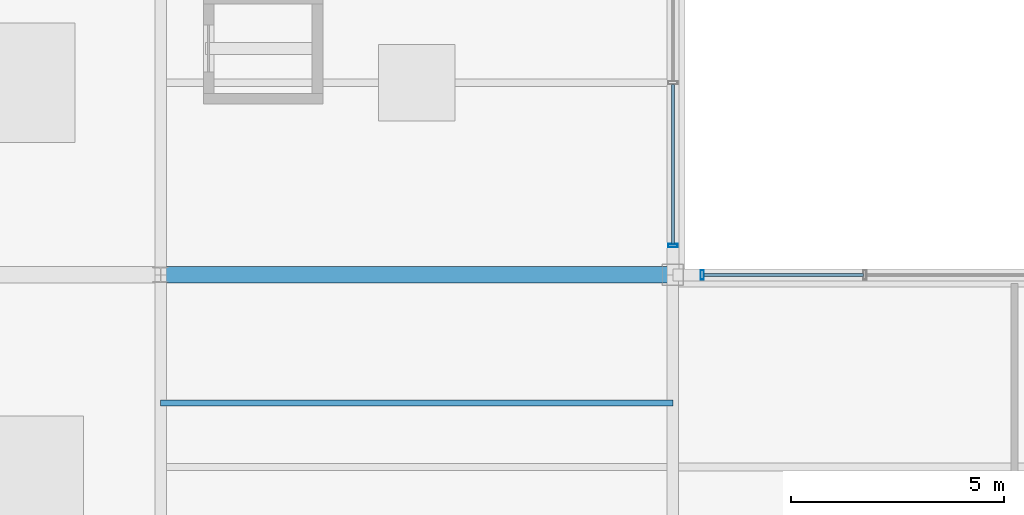
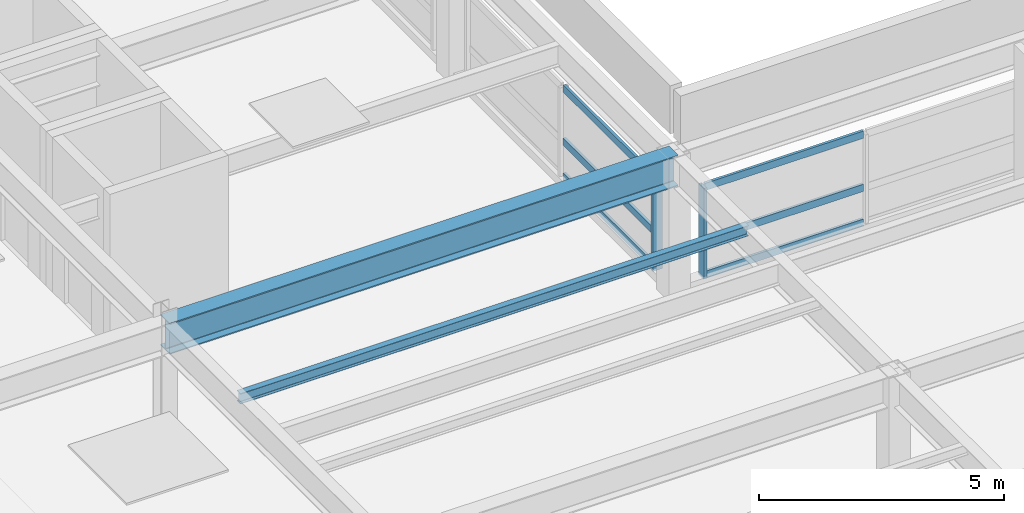
# One storey, part 59 of 108: 9 members, 1 beam, 2 elements without a shape of their own.
"""IFC4 building model written with IfcOpenShell, lengths in metres."""

from ifc_helpers import new_model, si_unit, direction, frame, origin, origin_2d, place, context, subcontext, project, spatial, hollow_rectangle, i_section, extrude, material, material_profile, profile_set, type_object, element, aggregate, save


model = new_model("IFC4")

# Units and contexts
model_context = context("Model", 3, precision=1e-05, world=origin(), true_north=direction((0.0, 1.0)))
body_context = subcontext(model_context, "Body", "Model", "MODEL_VIEW")
ifc_project = project(units=[si_unit("LENGTHUNIT", "METRE"), si_unit("AREAUNIT", "SQUARE_METRE"), si_unit("VOLUMEUNIT", "CUBIC_METRE"), si_unit("PLANEANGLEUNIT", "RADIAN"), si_unit("MASSUNIT", "GRAM", prefix="KILO")], contexts=[model_context])

# Site, building, storey
site_placement = place(None, origin())
site = spatial("IfcSite", under=ifc_project, at=site_placement, CompositionType="ELEMENT")
building_placement = place(site_placement, origin())
building = spatial("IfcBuilding", under=site, at=building_placement, Name="Kaldorvane Square Convention Centre", CompositionType="ELEMENT")
storey_placement = place(building_placement, frame((0.0, 0.0, 23.399993896484375)))
storey = spatial("IfcBuildingStorey", under=building, at=storey_placement, Name="L04", CompositionType="ELEMENT", Elevation=23.399993896484375)

# Beam
ifc_material_1 = material(Name="Steel ASTM A992 Gr. 50", Category="steel")
ifc_material_profile_1 = material_profile(ifc_material_1, i_section(OverallWidth=0.380706787109375, OverallDepth=0.773193359375, WebThickness=0.0166015625, FlangeThickness=0.027099609375, FilletRadius=0.0164947509765625, at=origin_2d()), Name="W30X173")
ifc_profile_set_1 = profile_set([ifc_material_profile_1], Name="Steel ASTM A992 Gr. 50")
beam_type = type_object("IfcBeamType", Name="BM-GR-W30X173", PredefinedType="BEAM", material=ifc_profile_set_1)
beam_placement = place(storey_placement, frame((126.0, 36.0, 3.139404296875), z_axis=(1.0, 0.0, 0.0), x_axis=(0.0, 1.0, 0.0)))
element("IfcBeam", 1, at=beam_placement, inside=storey, type_object=beam_type, Name="Primary Girder (L04)", PredefinedType="BEAM", context=body_context, shape_type="SweptSolid", body=[
    extrude(i_section(OverallWidth=0.380706787109375, OverallDepth=0.773193359375, WebThickness=0.0166015625, FlangeThickness=0.027099609375, FilletRadius=0.0164947509765625, at=origin_2d()), origin(), (0.0, 0.0, 1.0), 12.0),
])

# Curtain wall, member
ifc_material_2 = material(Name="Anodized Aluminum and Low-E Insulated Glazing", Category="aluminium")
curtain_wall_type = type_object("IfcCurtainWallType", Name="CW-PTS-FC-42", PredefinedType="USERDEFINED", material=ifc_material_2)
curtain_wall_1_placement = place(storey_placement, origin())
curtain_wall_1 = element("IfcCurtainWall", 2, at=curtain_wall_1_placement, inside=storey, type_object=curtain_wall_type, Name="Curtain Wall CW-09 (L04)", ObjectType="POINT SUPPORTED GLAZING", PredefinedType="USERDEFINED")
ifc_material_profile_2 = material_profile(ifc_material_2, hollow_rectangle(XDim=0.0749969482421875, YDim=0.220001220703125, WallThickness=0.003997802734375, at=origin_2d()), Name="CWM-220X75")
ifc_profile_set_2 = profile_set([ifc_material_profile_2], Name="Anodized Aluminum and Low-E Insulated Glazing")
member_type_1 = type_object("IfcMemberType", Name="CW-MUL-220", PredefinedType="MULLION", material=ifc_profile_set_2)
member_1_placement = place(storey_placement, frame((138.6875, 36.0, 0.1500091552734375), z_axis=(0.0, 0.0, 1.0), x_axis=(-1.0, 0.0, 0.0)))
member_1 = element("IfcMember", 3, at=member_1_placement, type_object=member_type_1, Name="CW-09 mullion 3", PredefinedType="MULLION", context=body_context, shape_type="SweptSolid", body=[
    extrude(hollow_rectangle(XDim=0.0749969482421875, YDim=0.220001220703125, WallThickness=0.003997802734375, at=origin_2d()), origin(), (0.0, 0.0, 1.0), 2.2599945068359375),
])

curtain_wall_2_placement = place(storey_placement, origin())
curtain_wall_2 = element("IfcCurtainWall", 4, at=curtain_wall_2_placement, inside=storey, type_object=curtain_wall_type, Name="Curtain Wall CW-09 (L04)", ObjectType="POINT SUPPORTED GLAZING", PredefinedType="USERDEFINED")
member_2_placement = place(storey_placement, frame((138.0, 36.6875, 0.1500091552734375), z_axis=(0.0, 0.0, 1.0), x_axis=(0.0, 1.0, 0.0)))
member_2 = element("IfcMember", 5, at=member_2_placement, type_object=member_type_1, Name="CW-09 mullion 1", PredefinedType="MULLION", context=body_context, shape_type="SweptSolid", body=[
    extrude(hollow_rectangle(XDim=0.0749969482421875, YDim=0.220001220703125, WallThickness=0.003997802734375, at=origin_2d()), origin(), (0.0, 0.0, 1.0), 2.2599945068359375),
])

# Member
ifc_material_profile_3 = material_profile(ifc_material_2, hollow_rectangle(XDim=0.06500244140625, YDim=0.17999267578125, WallThickness=0.0034942626953125, at=origin_2d()), Name="CWT-180X65")
ifc_profile_set_3 = profile_set([ifc_material_profile_3], Name="Anodized Aluminum and Low-E Insulated Glazing")
member_type_2 = type_object("IfcMemberType", Name="CW-TRN-180", PredefinedType="USERDEFINED", material=ifc_profile_set_3)
member_3_placement = place(storey_placement, frame((142.46249389648438, 36.0, 0.1825103759765625), z_axis=(-1.0, 0.0, 0.0), x_axis=(0.0, -1.0, 0.0)))
member_3 = element("IfcMember", 6, at=member_3_placement, type_object=member_type_2, Name="CW-09 transom 2.1", ObjectType="TRANSOM", PredefinedType="USERDEFINED", context=body_context, shape_type="SweptSolid", body=[
    extrude(hollow_rectangle(XDim=0.06500244140625, YDim=0.17999267578125, WallThickness=0.0034942626953125, at=origin_2d()), origin(), (0.0, 0.0, 1.0), 3.73748779296875),
])

member_4_placement = place(storey_placement, frame((142.46249389648438, 36.0, 1.0500030517578125), z_axis=(-1.0, 0.0, 0.0), x_axis=(0.0, -1.0, 0.0)))
member_4 = element("IfcMember", 7, at=member_4_placement, type_object=member_type_2, Name="CW-09 transom 2.2", ObjectType="TRANSOM", PredefinedType="USERDEFINED", context=body_context, shape_type="SweptSolid", body=[
    extrude(hollow_rectangle(XDim=0.06500244140625, YDim=0.17999267578125, WallThickness=0.0034942626953125, at=origin_2d()), origin(), (0.0, 0.0, 1.0), 3.73748779296875),
])

member_5_placement = place(storey_placement, frame((142.46249389648438, 36.0, 2.37750244140625), z_axis=(-1.0, 0.0, 0.0), x_axis=(0.0, -1.0, 0.0)))
member_5 = element("IfcMember", 8, at=member_5_placement, type_object=member_type_2, Name="CW-09 transom 2.3", ObjectType="TRANSOM", PredefinedType="USERDEFINED", context=body_context, shape_type="SweptSolid", body=[
    extrude(hollow_rectangle(XDim=0.06500244140625, YDim=0.17999267578125, WallThickness=0.0034942626953125, at=origin_2d()), origin(), (0.0, 0.0, 1.0), 3.73748779296875),
])

aggregate(curtain_wall_1, [member_1, member_3, member_4, member_5])

member_6_placement = place(storey_placement, frame((138.0, 36.725006103515625, 0.1825103759765625), z_axis=(0.0, 1.0, 0.0), x_axis=(-1.0, 0.0, 0.0)))
member_6 = element("IfcMember", 9, at=member_6_placement, type_object=member_type_2, Name="CW-09 transom 1.1", ObjectType="TRANSOM", PredefinedType="USERDEFINED", context=body_context, shape_type="SweptSolid", body=[
    extrude(hollow_rectangle(XDim=0.06500244140625, YDim=0.17999267578125, WallThickness=0.0034942626953125, at=origin_2d()), origin(), (0.0, 0.0, 1.0), 3.73748779296875),
])

member_7_placement = place(storey_placement, frame((138.0, 36.725006103515625, 1.0500030517578125), z_axis=(0.0, 1.0, 0.0), x_axis=(-1.0, 0.0, 0.0)))
member_7 = element("IfcMember", 10, at=member_7_placement, type_object=member_type_2, Name="CW-09 transom 1.2", ObjectType="TRANSOM", PredefinedType="USERDEFINED", context=body_context, shape_type="SweptSolid", body=[
    extrude(hollow_rectangle(XDim=0.06500244140625, YDim=0.17999267578125, WallThickness=0.0034942626953125, at=origin_2d()), origin(), (0.0, 0.0, 1.0), 3.73748779296875),
])

member_8_placement = place(storey_placement, frame((138.0, 36.725006103515625, 2.37750244140625), z_axis=(0.0, 1.0, 0.0), x_axis=(-1.0, 0.0, 0.0)))
member_8 = element("IfcMember", 11, at=member_8_placement, type_object=member_type_2, Name="CW-09 transom 1.3", ObjectType="TRANSOM", PredefinedType="USERDEFINED", context=body_context, shape_type="SweptSolid", body=[
    extrude(hollow_rectangle(XDim=0.06500244140625, YDim=0.17999267578125, WallThickness=0.0034942626953125, at=origin_2d()), origin(), (0.0, 0.0, 1.0), 3.73748779296875),
])

aggregate(curtain_wall_2, [member_2, member_6, member_7, member_8])

ifc_material_profile_4 = material_profile(ifc_material_1, i_section(OverallWidth=0.1461029052734375, OverallDepth=0.25830078125, WebThickness=0.006103515625, FlangeThickness=0.00909423828125, FilletRadius=0.007598876953125, at=origin_2d()), Name="W10X22")
ifc_profile_set_4 = profile_set([ifc_material_profile_4], Name="Steel ASTM A992 Gr. 50")
member_type_3 = type_object("IfcMemberType", Name="MB-PR-W10X22", PredefinedType="PURLIN", material=ifc_profile_set_4)
member_9_placement = place(storey_placement, frame((126.0, 33.0, 3.3889007568359375), z_axis=(1.0, 0.0, 0.0), x_axis=(0.0, 1.0, 0.0)))
element("IfcMember", 12, at=member_9_placement, inside=storey, type_object=member_type_3, Name="Skylight Roof Purlin", PredefinedType="PURLIN", context=body_context, shape_type="SweptSolid", body=[
    extrude(i_section(OverallWidth=0.1461029052734375, OverallDepth=0.25830078125, WebThickness=0.006103515625, FlangeThickness=0.00909423828125, FilletRadius=0.007598876953125, at=origin_2d()), origin(), (0.0, 0.0, 1.0), 12.0),
])

save(model, "model.ifc")
